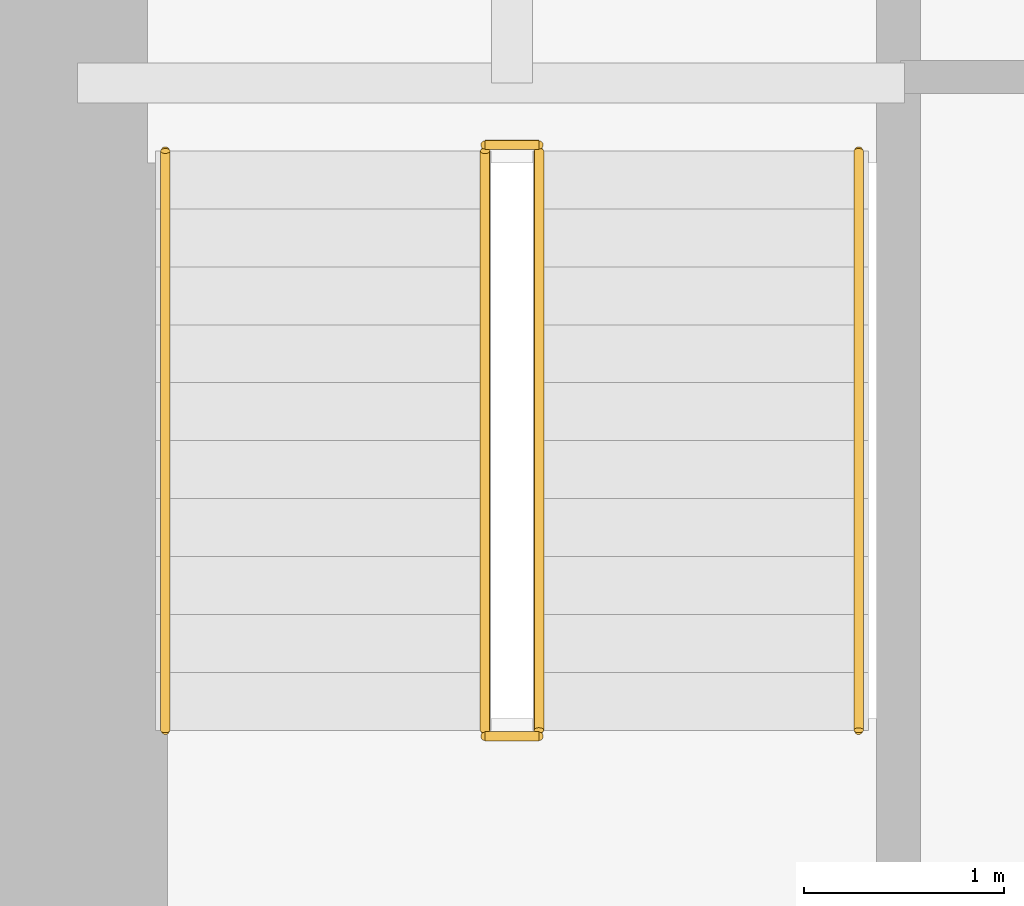
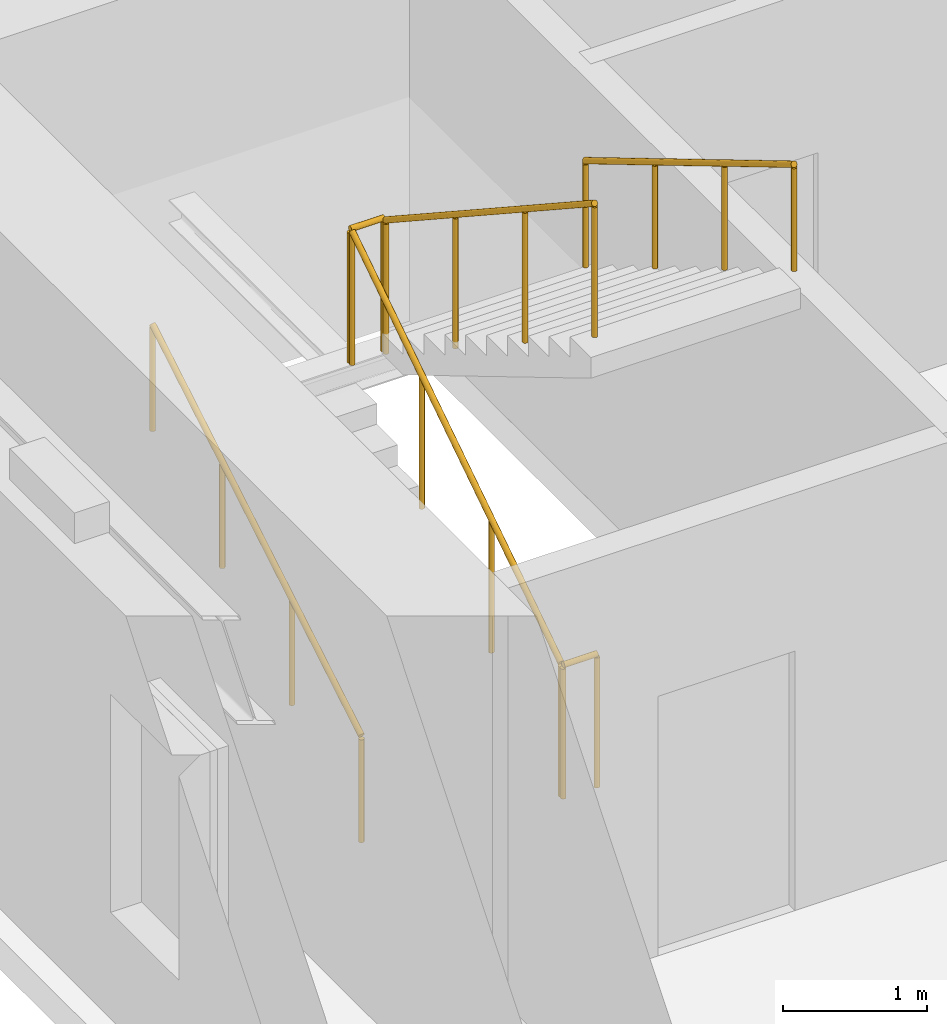
# One storey, part 12 of 14: 6 railings.
"""IFC4 building model written with IfcOpenShell, lengths in metres."""

from ifc_helpers import new_model, si_unit, direction, frame, origin, origin_2d, place, context, subcontext, project, spatial, circle, extrude, material, type_object, element, save


model = new_model("IFC4")

# Units and contexts
model_context = context("Model", 3, precision=1e-05, world=origin(), true_north=direction((0.0, 1.0)))
body_context = subcontext(model_context, "Body", "Model", "MODEL_VIEW")
ifc_project = project(units=[si_unit("LENGTHUNIT", "METRE"), si_unit("AREAUNIT", "SQUARE_METRE"), si_unit("VOLUMEUNIT", "CUBIC_METRE"), si_unit("PLANEANGLEUNIT", "RADIAN"), si_unit("MASSUNIT", "GRAM", prefix="KILO")], contexts=[model_context])

# Site, building, storey
site_placement = place(None, origin())
site = spatial("IfcSite", under=ifc_project, at=site_placement, CompositionType="ELEMENT")
building_placement = place(site_placement, origin())
building = spatial("IfcBuilding", under=site, at=building_placement, Name="Norrvale University Quadrangle", CompositionType="ELEMENT")
storey_placement = place(building_placement, frame((0.0, 0.0, 28.0)))
storey = spatial("IfcBuildingStorey", under=building, at=storey_placement, Name="L06", CompositionType="ELEMENT", Elevation=28.0)

# Railings
ifc_material_1 = material(Name="Steel 350W Painted Balustrade", Category="steel")
railing_type_1 = type_object("IfcRailingType", Name="Railing Stair Guard 1100", PredefinedType="GUARDRAIL", material=ifc_material_1)
for number, where, name in (
    (1, (4.239990234375, 42.02001953125, 0.0), "Stair Floor Well Guard ST-02 L06"),
    (2, (4.239990234375, 44.97998046875, 1.89990234375), "Stair Mid-Landing Slot Guard ST-02 L06"),
):
    element("IfcRailing", number, at=place(storey_placement, frame(where)), inside=storey, type_object=railing_type_1, Name=name, PredefinedType="GUARDRAIL", context=body_context, shape_type="SweptSolid", body=[
        extrude(circle(Radius=0.02392578125, at=origin_2d()), frame((0.0, 0.0, 1.1259765625), z_axis=(1.0, 0.0, 0.0), x_axis=(0.0, 1.0, 0.0)), (0.0, 0.0, 1.0), 0.27001953125),
        extrude(circle(Radius=0.02099609375, at=origin_2d()), origin(), (0.0, 0.0, 1.0), 1.101806640625),
        extrude(circle(Radius=0.02099609375, at=origin_2d()), frame((0.27001953125, 0.0, 0.0)), (0.0, 0.0, 1.0), 1.101806640625),
    ])
railing_1_placement = place(storey_placement, frame((4.239990234375, 42.050048828125, 0.0)))
element("IfcRailing", 3, at=railing_1_placement, inside=storey, type_object=railing_type_1, Name="Stair Lower Flight Inner Guard ST-02 L06", PredefinedType="GUARDRAIL", context=body_context, shape_type="SweptSolid", body=[
    extrude(circle(Radius=0.02392578125, at=origin_2d()), frame((0.0, 0.0, 1.1259765625), z_axis=(0.0, 0.836465582154, 0.548019461216), x_axis=(-1.0, 0.0, 0.0)), (0.0, 0.0, 1.0), 3.466796875),
    extrude(circle(Radius=0.02099609375, at=origin_2d()), origin(), (0.0, 0.0, 1.0), 1.101806640625),
    extrude(circle(Radius=0.02099609375, at=origin_2d()), frame((0.0, 0.966552734375, 0.63330078125)), (0.0, 0.0, 1.0), 1.101806640625),
    extrude(circle(Radius=0.02099609375, at=origin_2d()), frame((0.0, 1.933349609375, 1.2666015625)), (0.0, 0.0, 1.0), 1.101806640625),
    extrude(circle(Radius=0.02099609375, at=origin_2d()), frame((0.0, 2.89990234375, 1.89990234375)), (0.0, 0.0, 1.0), 1.101806640625),
])
railing_2_placement = place(storey_placement, frame((4.510009765625, 44.949951171875, 1.89990234375)))
element("IfcRailing", 4, at=railing_2_placement, inside=storey, type_object=railing_type_1, Name="Stair Upper Flight Inner Guard ST-02 L06", PredefinedType="GUARDRAIL", context=body_context, shape_type="SweptSolid", body=[
    extrude(circle(Radius=0.02392578125, at=origin_2d()), frame((0.0, 0.0, 1.1259765625), z_axis=(0.0, -0.836433300813, 0.548068730445), x_axis=(1.0, 0.0, 0.0)), (0.0, 0.0, 1.0), 3.467041015625),
    extrude(circle(Radius=0.02099609375, at=origin_2d()), origin(), (0.0, 0.0, 1.0), 1.101806640625),
    extrude(circle(Radius=0.02099609375, at=origin_2d()), frame((0.0, -0.966552734375, 0.63330078125)), (0.0, 0.0, 1.0), 1.101806640625),
    extrude(circle(Radius=0.02099609375, at=origin_2d()), frame((0.0, -1.933349609375, 1.266845703125)), (0.0, 0.0, 1.0), 1.101806640625),
    extrude(circle(Radius=0.02099609375, at=origin_2d()), frame((0.0, -2.89990234375, 1.900146484375)), (0.0, 0.0, 1.0), 1.101806640625),
])
ifc_material_2 = material(Name="Stainless Steel 316L Handrail", Category="steel")
railing_type_2 = type_object("IfcRailingType", Name="Railing Stair Handrail 920", PredefinedType="HANDRAIL", material=ifc_material_2)
railing_3_placement = place(storey_placement, frame((2.639892578125, 42.050048828125, 0.172607421875)))
element("IfcRailing", 5, at=railing_3_placement, inside=storey, type_object=railing_type_2, Name="Stair Lower Flight Handrail ST-02 L06", PredefinedType="HANDRAIL", context=body_context, shape_type="SweptSolid", body=[
    extrude(circle(Radius=0.02392578125, at=origin_2d()), frame((0.0, 0.0, 0.89599609375), z_axis=(0.0, 0.859141464434, 0.511738159696), x_axis=(-1.0, 0.0, 0.0)), (0.0, 0.0, 1.0), 3.375244140625),
    extrude(circle(Radius=0.02099609375, at=origin_2d()), origin(), (0.0, 0.0, 1.0), 0.871826171875),
    extrude(circle(Radius=0.02099609375, at=origin_2d()), frame((0.0, 0.966552734375, 0.57568359375)), (0.0, 0.0, 1.0), 0.871826171875),
    extrude(circle(Radius=0.02099609375, at=origin_2d()), frame((0.0, 1.933349609375, 1.151611328125)), (0.0, 0.0, 1.0), 0.871826171875),
    extrude(circle(Radius=0.02099609375, at=origin_2d()), frame((0.0, 2.89990234375, 1.727294921875)), (0.0, 0.0, 1.0), 0.871826171875),
])
railing_4_placement = place(storey_placement, frame((6.110107421875, 44.949951171875, 2.07275390625)))
element("IfcRailing", 6, at=railing_4_placement, inside=storey, type_object=railing_type_2, Name="Stair Upper Flight Handrail ST-02 L06", PredefinedType="HANDRAIL", context=body_context, shape_type="SweptSolid", body=[
    extrude(circle(Radius=0.02392578125, at=origin_2d()), frame((0.0, 0.0, 0.89599609375), z_axis=(0.0, -0.859141464434, 0.511738159696), x_axis=(1.0, 0.0, 0.0)), (0.0, 0.0, 1.0), 3.375244140625),
    extrude(circle(Radius=0.02099609375, at=origin_2d()), origin(), (0.0, 0.0, 1.0), 0.871826171875),
    extrude(circle(Radius=0.02099609375, at=origin_2d()), frame((0.0, -0.966552734375, 0.57568359375)), (0.0, 0.0, 1.0), 0.871826171875),
    extrude(circle(Radius=0.02099609375, at=origin_2d()), frame((0.0, -1.933349609375, 1.151611328125)), (0.0, 0.0, 1.0), 0.871826171875),
    extrude(circle(Radius=0.02099609375, at=origin_2d()), frame((0.0, -2.89990234375, 1.727294921875)), (0.0, 0.0, 1.0), 0.871826171875),
])

save(model, "model.ifc")
